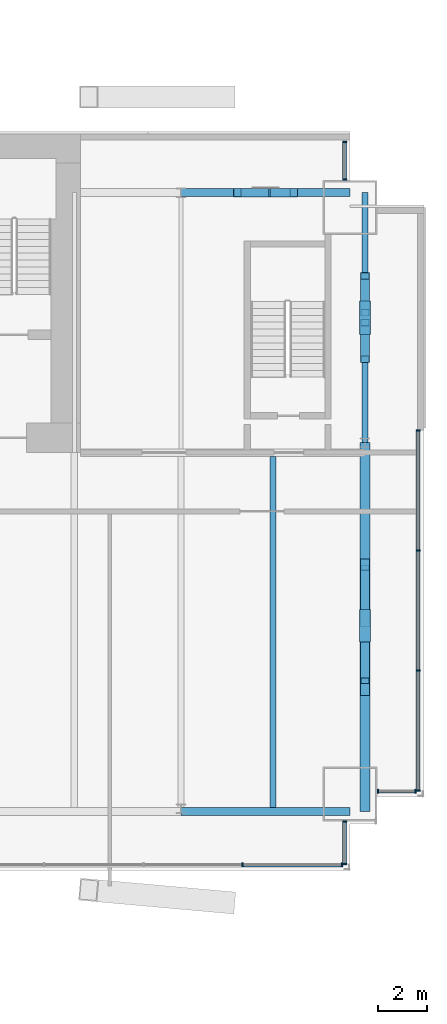
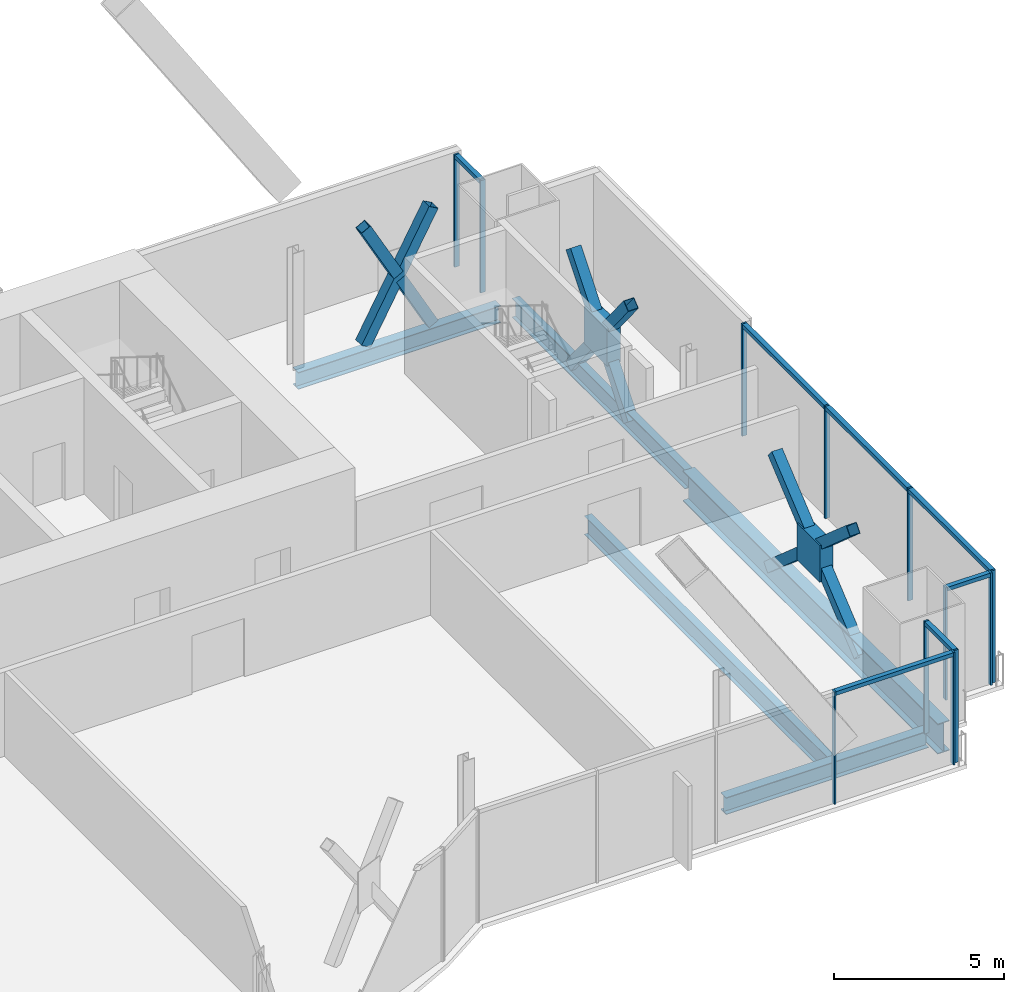
# One storey, part 12 of 20: 32 members, 5 beams, 5 elements without a shape of their own.
"""IFC4 building model written with IfcOpenShell, lengths in metres."""

import ifcopenshell
import ifcopenshell.guid

model = None  # the IFC model being written
_history = None  # IfcOwnerHistory: only IFC2X3 demands one
_inside = {}  # id of a spatial element -> (the spatial element, [elements in it])
_under = {}  # id of a project, library or spatial element -> (it, [spatial elements below it])
_declared = {}  # id of a project -> (the project, [libraries it declares])
_typed = {}  # id of a type object -> (the type object, [elements of that type])
_made_of = {}  # id of a material, layer set ... -> (it, [elements and type objects made of it])


def new_model(schema):
    """Start an empty IFC model of exactly this schema.

    Asked for "IFC4X3", IfcOpenShell would pick the latest addendum, in which some entities
    have other attributes; the version numbers below select the first issue.
    IFC2X3 requires an IfcOwnerHistory on every rooted entity: one is made here for all.
    """
    global model, _history
    if schema == "IFC4X3":
        model = ifcopenshell.file(schema_version=(4, 3, 0, 0))
    else:
        model = ifcopenshell.file(schema=schema)
    _inside.clear()
    _under.clear()
    _declared.clear()
    _typed.clear()
    _made_of.clear()
    _history = None
    if model.schema == "IFC2X3":
        org = make("IfcOrganization", Name="unknown")
        user = make(
            "IfcPersonAndOrganization",
            ThePerson=make("IfcPerson", FamilyName="unknown"),
            TheOrganization=org,
        )
        app = make(
            "IfcApplication",
            ApplicationDeveloper=org,
            Version="unknown",
            ApplicationFullName="unknown",
            ApplicationIdentifier="unknown",
        )
        _history = make(
            "IfcOwnerHistory",
            OwningUser=user,
            OwningApplication=app,
            ChangeAction="ADDED",
            CreationDate=0,
        )
    return model


def make(cls, **values):
    """One entity of the class cls with the attributes given. An attribute that is None is left unset."""
    return model.create_entity(
        cls, **{name: value for name, value in values.items() if value is not None}
    )


def rooted(cls, **values):
    """An entity with a GlobalId (a new one), such as an element, a storey or a relation."""
    return make(cls, GlobalId=ifcopenshell.guid.new(), OwnerHistory=_history, **values)


def si_unit(unit_type, name, prefix=None):
    """IfcSIUnit, for example si_unit("LENGTHUNIT", "METRE", prefix="MILLI")."""
    return make("IfcSIUnit", UnitType=unit_type, Prefix=prefix, Name=name)


def assignment(units):
    """IfcUnitAssignment: the units of a project."""
    return None if units is None else make("IfcUnitAssignment", Units=units)


def point(xyz):
    """IfcCartesianPoint."""
    return None if xyz is None else make("IfcCartesianPoint", Coordinates=xyz)


def direction(xyz):
    """IfcDirection."""
    return None if xyz is None else make("IfcDirection", DirectionRatios=xyz)


def frame(location, z_axis=None, x_axis=None):
    """IfcAxis2Placement3D, a coordinate frame: its origin and axes. An axis left out is left unset."""
    return make(
        "IfcAxis2Placement3D",
        Location=point(location),
        Axis=direction(z_axis),
        RefDirection=direction(x_axis),
    )


def frame_2d(location, x_axis=None):
    """IfcAxis2Placement2D, a coordinate frame in the plane: its origin and x axis."""
    return make(
        "IfcAxis2Placement2D", Location=point(location), RefDirection=direction(x_axis)
    )


def origin():
    """The frame at (0, 0, 0) with its axes left unset."""
    return frame((0.0, 0.0, 0.0))


def origin_2d():
    """The frame at (0, 0) in the plane with its x axis left unset."""
    return frame_2d((0.0, 0.0))


def place(relative_to, where):
    """IfcLocalPlacement: puts the frame where relative to a parent placement (None: the world)."""
    return make(
        "IfcLocalPlacement", PlacementRelTo=relative_to, RelativePlacement=where
    )


def context(
    kind, dimensions, precision=None, world=None, true_north=None, identifier=None
):
    """IfcGeometricRepresentationContext, for example the 3D "Model" context."""
    return make(
        "IfcGeometricRepresentationContext",
        ContextIdentifier=identifier,
        ContextType=kind,
        CoordinateSpaceDimension=dimensions,
        Precision=precision,
        WorldCoordinateSystem=world,
        TrueNorth=true_north,
    )


def subcontext(parent, identifier, kind, view, scale=None):
    """IfcGeometricRepresentationSubContext, for example "Body" below "Model"."""
    return make(
        "IfcGeometricRepresentationSubContext",
        ContextIdentifier=identifier,
        ContextType=kind,
        ParentContext=parent,
        TargetScale=scale,
        TargetView=view,
    )


def project(units=None, contexts=None):
    """IfcProject with its units and contexts."""
    return rooted(
        "IfcProject",
        Name="project",
        RepresentationContexts=contexts,
        UnitsInContext=assignment(units),
    )


def spatial(cls, under=None, at=None, **own):
    """A site, building, storey or space (cls), placed at a placement, below another one or the project."""
    s = rooted(cls, ObjectPlacement=at, **own)
    if under is not None:
        _under.setdefault(under.id(), (under, []))[1].append(s)
    return s


def profile(cls, at=None, kind="AREA", **sizes):
    """A parametric profile (cls). Its sizes go by their IFC names, for example OverallWidth=200.0."""
    return make(cls, ProfileType=kind, Position=at, **sizes)


def rectangle(**sizes):
    """IfcRectangleProfileDef."""
    return profile("IfcRectangleProfileDef", **sizes)


def hollow_rectangle(**sizes):
    """IfcRectangleHollowProfileDef."""
    return profile("IfcRectangleHollowProfileDef", **sizes)


def i_section(**sizes):
    """IfcIShapeProfileDef."""
    return profile("IfcIShapeProfileDef", **sizes)


def extrude(swept, where, along, depth):
    """IfcExtrudedAreaSolid: the profile swept, set in the frame where, extruded along a direction by depth."""
    return make(
        "IfcExtrudedAreaSolid",
        SweptArea=swept,
        Position=where,
        ExtrudedDirection=direction(along),
        Depth=depth,
    )


def shape(context_of_items, identifier, shape_type, items):
    """IfcShapeRepresentation: the items that make up one representation, for example the "Body"."""
    return make(
        "IfcShapeRepresentation",
        ContextOfItems=context_of_items,
        RepresentationIdentifier=identifier,
        RepresentationType=shape_type,
        Items=items,
    )


def material(Name=None, Category=None):
    """IfcMaterial."""
    return make("IfcMaterial", Name=Name, Category=Category)


def material_profile(
    of_material, cross_section, Name=None, Category=None, Priority=None
):
    """IfcMaterialProfile: a cross section and its material."""
    return make(
        "IfcMaterialProfile",
        Name=Name,
        Material=of_material,
        Profile=cross_section,
        Priority=Priority,
        Category=Category,
    )


def profile_set(profiles, Name=None, composite=None):
    """IfcMaterialProfileSet."""
    return make(
        "IfcMaterialProfileSet",
        Name=Name,
        MaterialProfiles=profiles,
        CompositeProfile=composite,
    )


def made_of(thing, what):
    """Note that an element or type object is made of a material, layer set ...; save() writes the relation."""
    if what is not None:
        _made_of.setdefault(what.id(), (what, []))[1].append(thing)
    return thing


def type_object(cls, material=None, **own):
    """A type object (cls), such as IfcWallType, which elements share."""
    return made_of(rooted(cls, **own), material)


def element(
    cls,
    number,
    at=None,
    inside=None,
    cuts=None,
    type_object=None,
    material=None,
    context=None,
    identifier="Body",
    shape_type=None,
    held_by="IfcProductDefinitionShape",
    body=None,
    shapes=None,
    **own,
):
    """One element of the class cls, such as IfcWall. Its Tag is "e" and its number.

    at: its placement. inside: the storey or other place that contains it. cuts: it is an
    opening in that element (IfcRelVoidsElement). A single representation is given by context,
    identifier, shape_type and body (its items); several are given by shapes. held_by: the class
    of the entity that holds the representations. save() writes the other relations.
    """
    e = rooted(cls, Tag="e%d" % number, ObjectPlacement=at, **own)
    if body is not None:
        shapes = [shape(context, identifier, shape_type, body)]
    if shapes is not None:
        e.Representation = make(held_by, Representations=shapes)
    if inside is not None:
        _inside.setdefault(inside.id(), (inside, []))[1].append(e)
    if cuts is not None:
        rooted(
            "IfcRelVoidsElement", RelatingBuildingElement=cuts, RelatedOpeningElement=e
        )
    if type_object is not None:
        _typed.setdefault(type_object.id(), (type_object, []))[1].append(e)
    return made_of(e, material)


def aggregate(whole, parts):
    """IfcRelAggregates: a whole, such as a stair, and the parts it consists of."""
    return rooted("IfcRelAggregates", RelatingObject=whole, RelatedObjects=parts)


def save(model, path):
    """Write the relations noted so far, then the file.

    IfcRelAggregates (storeys below a building ...), IfcRelContainedInSpatialStructure (elements
    in a storey), IfcRelDefinesByType, IfcRelAssociatesMaterial and IfcRelDeclares: one each for
    every whole, place, type object, material and project.
    """
    for whole, parts in _under.values():
        aggregate(whole, parts)
    for where, things in _inside.values():
        rooted(
            "IfcRelContainedInSpatialStructure",
            RelatedElements=things,
            RelatingStructure=where,
        )
    for kind, things in _typed.values():
        rooted("IfcRelDefinesByType", RelatedObjects=things, RelatingType=kind)
    for what, things in _made_of.values():
        rooted("IfcRelAssociatesMaterial", RelatedObjects=things, RelatingMaterial=what)
    for by, libraries in _declared.values():
        rooted("IfcRelDeclares", RelatingContext=by, RelatedDefinitions=libraries)
    model.write(path)


model = new_model("IFC4")

# Units and contexts
model_context = context("Model", 3, precision=1e-05, world=origin(), true_north=direction((0.0, 1.0)))
body_context = subcontext(model_context, "Body", "Model", "MODEL_VIEW")
ifc_project = project(units=[si_unit("LENGTHUNIT", "METRE"), si_unit("AREAUNIT", "SQUARE_METRE"), si_unit("VOLUMEUNIT", "CUBIC_METRE"), si_unit("PLANEANGLEUNIT", "RADIAN"), si_unit("MASSUNIT", "GRAM", prefix="KILO")], contexts=[model_context])

# Site, building, storey
site_placement = place(None, origin())
site = spatial("IfcSite", under=ifc_project, at=site_placement, CompositionType="ELEMENT")
building_placement = place(site_placement, origin())
building = spatial("IfcBuilding", under=site, at=building_placement, Name="Bicima Exchange Tower", CompositionType="ELEMENT")
storey_placement = place(building_placement, frame((0.0, 0.0, 245.60009765625)))
storey = spatial("IfcBuildingStorey", under=building, at=storey_placement, Name="L55", CompositionType="ELEMENT", Elevation=245.60009765625)

# Members
ifc_material_1 = material(Name="Steel ASTM A572 Gr 50", Category="steel")
ifc_material_profile_1 = material_profile(ifc_material_1, rectangle(XDim=0.45556640625, YDim=1.33837890625, at=origin_2d()))
ifc_profile_set_1 = profile_set([ifc_material_profile_1], Name="Steel ASTM A572 Gr 50")
member_type_1 = type_object("IfcMemberType", Name="Brace crossing node 456 x 1338", PredefinedType="POST", material=ifc_profile_set_1)
member_1_placement = place(storey_placement, frame((33.60009765625, -20.06103515625, 0.7705078125), z_axis=(0.0, 0.0, 1.0), x_axis=(1.0, 0.0, 0.0)))
element("IfcMember", 1, at=member_1_placement, inside=storey, type_object=member_type_1, Name="Brace crossing node block", PredefinedType="POST", context=body_context, shape_type="SweptSolid", body=[
    extrude(rectangle(XDim=0.45556640625, YDim=1.33837890625, at=origin_2d()), origin(), (0.0, 0.0, 1.0), 1.318603515625),
])
ifc_material_profile_2 = material_profile(ifc_material_1, rectangle(XDim=0.45556640625, YDim=1.3564453125, at=origin_2d()))
ifc_profile_set_2 = profile_set([ifc_material_profile_2], Name="Steel ASTM A572 Gr 50")
member_type_2 = type_object("IfcMemberType", Name="Brace crossing node 456 x 1356", PredefinedType="POST", material=ifc_profile_set_2)
member_2_placement = place(storey_placement, frame((33.60009765625, -7.5, 0.93505859375), z_axis=(0.0, 0.0, 1.0), x_axis=(1.0, 0.0, 0.0)))
element("IfcMember", 2, at=member_2_placement, inside=storey, type_object=member_type_2, Name="Brace crossing node block", PredefinedType="POST", context=body_context, shape_type="SweptSolid", body=[
    extrude(rectangle(XDim=0.45556640625, YDim=1.3564453125, at=origin_2d()), origin(), (0.0, 0.0, 1.0), 1.33642578125),
])

# Curtain wall, members
ifc_material_2 = material(Name="Anodised bronze aluminium", Category="aluminium")
curtain_wall_type_1 = type_object("IfcCurtainWallType", Name="End face glass wall", PredefinedType="NOTDEFINED", material=ifc_material_2)
curtain_wall_1_placement = place(storey_placement, origin())
curtain_wall_1 = element("IfcCurtainWall", 3, at=curtain_wall_1_placement, inside=storey, type_object=curtain_wall_type_1, Name="End face glass wall L55 run 19", PredefinedType="NOTDEFINED")
ifc_material_profile_3 = material_profile(ifc_material_2, rectangle(XDim=0.159912109375, YDim=0.06005859375, at=origin_2d()))
ifc_profile_set_3 = profile_set([ifc_material_profile_3], Name="Anodised bronze aluminium")
member_type_3 = type_object("IfcMemberType", Name="End face glass wall mullion 60 x 160", PredefinedType="MULLION", material=ifc_profile_set_3)
member_3_placement = place(storey_placement, frame((35.77001953125, -26.783935546875, 0.0), z_axis=(0.0, 0.0, 1.0), x_axis=(-1.0, 0.0, 0.0)))
member_3 = element("IfcMember", 4, at=member_3_placement, type_object=member_type_3, Name="End face glass wall mullion 1", PredefinedType="MULLION", context=body_context, shape_type="SweptSolid", body=[
    extrude(rectangle(XDim=0.159912109375, YDim=0.06005859375, at=origin_2d()), origin(), (0.0, 0.0, 1.0), 4.0498046875),
])
member_4_placement = place(storey_placement, frame((35.77001953125, -21.892578125, 0.0), z_axis=(0.0, 0.0, 1.0), x_axis=(-1.0, 0.0, 0.0)))
member_4 = element("IfcMember", 5, at=member_4_placement, type_object=member_type_3, Name="End face glass wall mullion 2", PredefinedType="MULLION", context=body_context, shape_type="SweptSolid", body=[
    extrude(rectangle(XDim=0.159912109375, YDim=0.06005859375, at=origin_2d()), origin(), (0.0, 0.0, 1.0), 4.0498046875),
])
member_5_placement = place(storey_placement, frame((35.77001953125, -17.001220703125, 0.0), z_axis=(0.0, 0.0, 1.0), x_axis=(-1.0, 0.0, 0.0)))
member_5 = element("IfcMember", 6, at=member_5_placement, type_object=member_type_3, Name="End face glass wall mullion 3", PredefinedType="MULLION", context=body_context, shape_type="SweptSolid", body=[
    extrude(rectangle(XDim=0.159912109375, YDim=0.06005859375, at=origin_2d()), origin(), (0.0, 0.0, 1.0), 4.0498046875),
])
member_6_placement = place(storey_placement, frame((35.77001953125, -12.110107421875, 0.0), z_axis=(0.0, 0.0, 1.0), x_axis=(-1.0, 0.0, 0.0)))
member_6 = element("IfcMember", 7, at=member_6_placement, type_object=member_type_3, Name="End face glass wall mullion 4", PredefinedType="MULLION", context=body_context, shape_type="SweptSolid", body=[
    extrude(rectangle(XDim=0.159912109375, YDim=0.06005859375, at=origin_2d()), origin(), (0.0, 0.0, 1.0), 4.0498046875),
])
ifc_material_profile_4 = material_profile(ifc_material_2, rectangle(XDim=0.159912109375, YDim=0.139892578125, at=origin_2d()))
ifc_profile_set_4 = profile_set([ifc_material_profile_4], Name="Anodised bronze aluminium")
member_type_4 = type_object("IfcMemberType", Name="End face glass wall transom 140 x 160", PredefinedType="USERDEFINED", material=ifc_profile_set_4)
member_7_placement = place(storey_placement, frame((35.77001953125, -26.75390625, 3.97998046875), z_axis=(0.0, 1.0, 0.0), x_axis=(-1.0, 0.0, 0.0)))
member_7 = element("IfcMember", 8, at=member_7_placement, type_object=member_type_4, Name="End face glass wall transom 1.1", ObjectType="TRANSOM", PredefinedType="USERDEFINED", context=body_context, shape_type="SweptSolid", body=[
    extrude(rectangle(XDim=0.159912109375, YDim=0.139892578125, at=origin_2d()), origin(), (0.0, 0.0, 1.0), 4.831298828125),
])
member_8_placement = place(storey_placement, frame((35.77001953125, -21.86279296875, 3.97998046875), z_axis=(0.0, 1.0, 0.0), x_axis=(-1.0, 0.0, 0.0)))
member_8 = element("IfcMember", 9, at=member_8_placement, type_object=member_type_4, Name="End face glass wall transom 2.1", ObjectType="TRANSOM", PredefinedType="USERDEFINED", context=body_context, shape_type="SweptSolid", body=[
    extrude(rectangle(XDim=0.159912109375, YDim=0.139892578125, at=origin_2d()), origin(), (0.0, 0.0, 1.0), 4.83154296875),
])
member_9_placement = place(storey_placement, frame((35.77001953125, -16.97119140625, 3.97998046875), z_axis=(0.0, 1.0, 0.0), x_axis=(-1.0, 0.0, 0.0)))
member_9 = element("IfcMember", 10, at=member_9_placement, type_object=member_type_4, Name="End face glass wall transom 3.1", ObjectType="TRANSOM", PredefinedType="USERDEFINED", context=body_context, shape_type="SweptSolid", body=[
    extrude(rectangle(XDim=0.159912109375, YDim=0.139892578125, at=origin_2d()), origin(), (0.0, 0.0, 1.0), 4.831298828125),
])
aggregate(curtain_wall_1, [member_3, member_4, member_5, member_6, member_7, member_8, member_9])

# Beams
ifc_material_3 = material(Name="Steel ASTM A992 Gr 50", Category="steel")
ifc_material_profile_5 = material_profile(ifc_material_3, i_section(OverallWidth=0.256591796875, OverallDepth=0.693359375, WebThickness=0.014404296875, FlangeThickness=0.023681640625, at=origin_2d()))
ifc_profile_set_5 = profile_set([ifc_material_profile_5], Name="Steel ASTM A992 Gr 50")
beam_type_1 = type_object("IfcBeamType", Name="End girder W27x114", PredefinedType="BEAM", material=ifc_profile_set_5)
beam_1_placement = place(storey_placement, frame((33.60009765625, -2.39990234375, -0.496826171875), z_axis=(0.0, -1.0, 0.0), x_axis=(1.0, 0.0, 0.0)))
element("IfcBeam", 11, at=beam_1_placement, inside=storey, type_object=beam_type_1, Name="End girder", PredefinedType="BEAM", context=body_context, shape_type="SweptSolid", body=[
    extrude(i_section(OverallWidth=0.256591796875, OverallDepth=0.693359375, WebThickness=0.014404296875, FlangeThickness=0.023681640625, at=origin_2d()), origin(), (0.0, 0.0, 1.0), 10.2001953125),
])
ifc_material_profile_6 = material_profile(ifc_material_3, i_section(OverallWidth=0.4013671875, OverallDepth=1.089599609375, WebThickness=0.01806640625, FlangeThickness=0.031005859375, at=origin_2d()))
ifc_profile_set_6 = profile_set([ifc_material_profile_6], Name="Steel ASTM A992 Gr 50")
beam_type_2 = type_object("IfcBeamType", Name="End girder W44x230", PredefinedType="BEAM", material=ifc_profile_set_6)
beam_2_placement = place(storey_placement, frame((33.60009765625, -12.60009765625, -0.69482421875), z_axis=(0.0, -1.0, 0.0), x_axis=(1.0, 0.0, 0.0)))
element("IfcBeam", 12, at=beam_2_placement, inside=storey, type_object=beam_type_2, Name="End girder", PredefinedType="BEAM", context=body_context, shape_type="SweptSolid", body=[
    extrude(i_section(OverallWidth=0.4013671875, OverallDepth=1.089599609375, WebThickness=0.01806640625, FlangeThickness=0.031005859375, at=origin_2d()), origin(), (0.0, 0.0, 1.0), 15.0439453125),
])
ifc_material_profile_7 = material_profile(ifc_material_3, i_section(OverallWidth=0.25390625, OverallDepth=0.67822265625, WebThickness=0.01171875, FlangeThickness=0.016357421875, at=origin_2d()))
ifc_profile_set_7 = profile_set([ifc_material_profile_7], Name="Steel ASTM A992 Gr 50")
beam_type_3 = type_object("IfcBeamType", Name="Floor beam W27x84", PredefinedType="JOIST", material=ifc_profile_set_7)
beam_3_placement = place(storey_placement, frame((29.85009765625, -13.15234375, -0.4892578125), z_axis=(0.0, -1.0, 0.0), x_axis=(1.0, 0.0, 0.0)))
element("IfcBeam", 13, at=beam_3_placement, inside=storey, type_object=beam_type_3, Name="Floor beam", PredefinedType="JOIST", context=body_context, shape_type="SweptSolid", body=[
    extrude(i_section(OverallWidth=0.25390625, OverallDepth=0.67822265625, WebThickness=0.01171875, FlangeThickness=0.016357421875, at=origin_2d()), origin(), (0.0, 0.0, 1.0), 14.3291015625),
])
ifc_material_profile_8 = material_profile(ifc_material_3, i_section(OverallWidth=0.3251953125, OverallDepth=0.612060546875, WebThickness=0.0126953125, FlangeThickness=0.01904296875, at=origin_2d()))
ifc_profile_set_8 = profile_set([ifc_material_profile_8], Name="Steel ASTM A992 Gr 50")
beam_type_4 = type_object("IfcBeamType", Name="Front girder W24x104", PredefinedType="BEAM", material=ifc_profile_set_8)
beam_4_placement = place(storey_placement, frame((26.10009765625, -27.64404296875, -0.456298828125), z_axis=(1.0, 0.0, 0.0), x_axis=(0.0, 1.0, 0.0)))
element("IfcBeam", 14, at=beam_4_placement, inside=storey, type_object=beam_type_4, Name="Front girder", PredefinedType="BEAM", context=body_context, shape_type="SweptSolid", body=[
    extrude(i_section(OverallWidth=0.3251953125, OverallDepth=0.612060546875, WebThickness=0.0126953125, FlangeThickness=0.01904296875, at=origin_2d()), origin(), (0.0, 0.0, 1.0), 6.89990234375),
])

# Curtain wall, members
curtain_wall_type_2 = type_object("IfcCurtainWallType", Name="Front glass wall", PredefinedType="NOTDEFINED", material=ifc_material_2)
curtain_wall_2_placement = place(storey_placement, origin())
curtain_wall_2 = element("IfcCurtainWall", 15, at=curtain_wall_2_placement, inside=storey, type_object=curtain_wall_type_2, Name="Front glass wall L55 run 16", PredefinedType="NOTDEFINED")
member_type_5 = type_object("IfcMemberType", Name="Front glass wall mullion 60 x 160", PredefinedType="MULLION", material=ifc_profile_set_3)
member_10_placement = place(storey_placement, frame((28.610595703125, -29.81396484375, 0.0), z_axis=(0.0, 0.0, 1.0), x_axis=(0.0, 1.0, 0.0)))
member_10 = element("IfcMember", 16, at=member_10_placement, type_object=member_type_5, Name="Front glass wall mullion 4", PredefinedType="MULLION", context=body_context, shape_type="SweptSolid", body=[
    extrude(rectangle(XDim=0.159912109375, YDim=0.06005859375, at=origin_2d()), origin(), (0.0, 0.0, 1.0), 4.0498046875),
])
member_11_placement = place(storey_placement, frame((32.659912109375, -29.81396484375, 0.0), z_axis=(0.0, 0.0, 1.0), x_axis=(0.0, 1.0, 0.0)))
member_11 = element("IfcMember", 17, at=member_11_placement, type_object=member_type_5, Name="Front glass wall mullion 5", PredefinedType="MULLION", context=body_context, shape_type="SweptSolid", body=[
    extrude(rectangle(XDim=0.159912109375, YDim=0.06005859375, at=origin_2d()), origin(), (0.0, 0.0, 1.0), 4.0498046875),
])

curtain_wall_3_placement = place(storey_placement, origin())
curtain_wall_3 = element("IfcCurtainWall", 18, at=curtain_wall_3_placement, inside=storey, type_object=curtain_wall_type_2, Name="Front glass wall L55 run 17", PredefinedType="NOTDEFINED")
member_12_placement = place(storey_placement, frame((32.77001953125, -29.783935546875, 0.0), z_axis=(0.0, 0.0, 1.0), x_axis=(-1.0, 0.0, 0.0)))
member_12 = element("IfcMember", 19, at=member_12_placement, type_object=member_type_5, Name="Front glass wall mullion 1", PredefinedType="MULLION", context=body_context, shape_type="SweptSolid", body=[
    extrude(rectangle(XDim=0.159912109375, YDim=0.06005859375, at=origin_2d()), origin(), (0.0, 0.0, 1.0), 4.0498046875),
])
member_13_placement = place(storey_placement, frame((32.77001953125, -28.052001953125, 0.0), z_axis=(0.0, 0.0, 1.0), x_axis=(-1.0, 0.0, 0.0)))
member_13 = element("IfcMember", 20, at=member_13_placement, type_object=member_type_5, Name="Front glass wall mullion 2", PredefinedType="MULLION", context=body_context, shape_type="SweptSolid", body=[
    extrude(rectangle(XDim=0.159912109375, YDim=0.06005859375, at=origin_2d()), origin(), (0.0, 0.0, 1.0), 4.0498046875),
])

curtain_wall_4_placement = place(storey_placement, origin())
curtain_wall_4 = element("IfcCurtainWall", 21, at=curtain_wall_4_placement, inside=storey, type_object=curtain_wall_type_2, Name="Front glass wall L55 run 18", PredefinedType="NOTDEFINED")
member_14_placement = place(storey_placement, frame((34.1298828125, -26.81396484375, 0.0), z_axis=(0.0, 0.0, 1.0), x_axis=(0.0, 1.0, 0.0)))
member_14 = element("IfcMember", 22, at=member_14_placement, type_object=member_type_5, Name="Front glass wall mullion 1", PredefinedType="MULLION", context=body_context, shape_type="SweptSolid", body=[
    extrude(rectangle(XDim=0.159912109375, YDim=0.06005859375, at=origin_2d()), origin(), (0.0, 0.0, 1.0), 4.0498046875),
])
member_15_placement = place(storey_placement, frame((35.659912109375, -26.81396484375, 0.0), z_axis=(0.0, 0.0, 1.0), x_axis=(0.0, 1.0, 0.0)))
member_15 = element("IfcMember", 23, at=member_15_placement, type_object=member_type_5, Name="Front glass wall mullion 2", PredefinedType="MULLION", context=body_context, shape_type="SweptSolid", body=[
    extrude(rectangle(XDim=0.159912109375, YDim=0.06005859375, at=origin_2d()), origin(), (0.0, 0.0, 1.0), 4.0498046875),
])

curtain_wall_5_placement = place(storey_placement, origin())
curtain_wall_5 = element("IfcCurtainWall", 24, at=curtain_wall_5_placement, inside=storey, type_object=curtain_wall_type_2, Name="Front glass wall L55 run 20", PredefinedType="NOTDEFINED")
member_16_placement = place(storey_placement, frame((32.77001953125, -1.8701171875, 0.0), z_axis=(0.0, 0.0, 1.0), x_axis=(-1.0, 0.0, 0.0)))
member_16 = element("IfcMember", 25, at=member_16_placement, type_object=member_type_5, Name="Front glass wall mullion 1", PredefinedType="MULLION", context=body_context, shape_type="SweptSolid", body=[
    extrude(rectangle(XDim=0.159912109375, YDim=0.06005859375, at=origin_2d()), origin(), (0.0, 0.0, 1.0), 4.0498046875),
])
member_17_placement = place(storey_placement, frame((32.77001953125, -0.340087890625, 0.0), z_axis=(0.0, 0.0, 1.0), x_axis=(-1.0, 0.0, 0.0)))
member_17 = element("IfcMember", 26, at=member_17_placement, type_object=member_type_5, Name="Front glass wall mullion 2", PredefinedType="MULLION", context=body_context, shape_type="SweptSolid", body=[
    extrude(rectangle(XDim=0.159912109375, YDim=0.06005859375, at=origin_2d()), origin(), (0.0, 0.0, 1.0), 4.0498046875),
])

# Member
member_type_6 = type_object("IfcMemberType", Name="Front glass wall transom 140 x 160", PredefinedType="USERDEFINED", material=ifc_profile_set_4)
member_18_placement = place(storey_placement, frame((28.640380859375, -29.81396484375, 3.97998046875), z_axis=(1.0, 0.0, 0.0), x_axis=(0.0, 1.0, 0.0)))
member_18 = element("IfcMember", 27, at=member_18_placement, type_object=member_type_6, Name="Front glass wall transom 4.1", ObjectType="TRANSOM", PredefinedType="USERDEFINED", context=body_context, shape_type="SweptSolid", body=[
    extrude(rectangle(XDim=0.159912109375, YDim=0.139892578125, at=origin_2d()), origin(), (0.0, 0.0, 1.0), 3.989501953125),
])

aggregate(curtain_wall_2, [member_10, member_11, member_18])

member_19_placement = place(storey_placement, frame((32.77001953125, -29.75390625, 3.97998046875), z_axis=(0.0, 1.0, 0.0), x_axis=(-1.0, 0.0, 0.0)))
member_19 = element("IfcMember", 28, at=member_19_placement, type_object=member_type_6, Name="Front glass wall transom 1.1", ObjectType="TRANSOM", PredefinedType="USERDEFINED", context=body_context, shape_type="SweptSolid", body=[
    extrude(rectangle(XDim=0.159912109375, YDim=0.139892578125, at=origin_2d()), origin(), (0.0, 0.0, 1.0), 1.671875),
])

aggregate(curtain_wall_3, [member_12, member_13, member_19])

member_20_placement = place(storey_placement, frame((34.159912109375, -26.81396484375, 3.97998046875), z_axis=(1.0, 0.0, 0.0), x_axis=(0.0, 1.0, 0.0)))
member_20 = element("IfcMember", 29, at=member_20_placement, type_object=member_type_6, Name="Front glass wall transom 1.1", ObjectType="TRANSOM", PredefinedType="USERDEFINED", context=body_context, shape_type="SweptSolid", body=[
    extrude(rectangle(XDim=0.159912109375, YDim=0.139892578125, at=origin_2d()), origin(), (0.0, 0.0, 1.0), 1.469970703125),
])

aggregate(curtain_wall_4, [member_14, member_15, member_20])

member_21_placement = place(storey_placement, frame((32.77001953125, -1.840087890625, 3.97998046875), z_axis=(0.0, 1.0, 0.0), x_axis=(-1.0, 0.0, 0.0)))
member_21 = element("IfcMember", 30, at=member_21_placement, type_object=member_type_6, Name="Front glass wall transom 1.1", ObjectType="TRANSOM", PredefinedType="USERDEFINED", context=body_context, shape_type="SweptSolid", body=[
    extrude(rectangle(XDim=0.159912109375, YDim=0.139892578125, at=origin_2d()), origin(), (0.0, 0.0, 1.0), 1.469970703125),
])

aggregate(curtain_wall_5, [member_16, member_17, member_21])

# Members
ifc_material_profile_9 = material_profile(ifc_material_1, hollow_rectangle(XDim=0.355712890625, YDim=0.355712890625, WallThickness=0.0146484375, at=origin_2d()))
ifc_profile_set_9 = profile_set([ifc_material_profile_9], Name="Steel ASTM A572 Gr 50")
member_type_7 = type_object("IfcMemberType", Name="Mega brace HSS14x14x5/8", PredefinedType="BRACE", material=ifc_profile_set_9)
member_22_placement = place(storey_placement, frame((28.39990234375, -2.39990234375, 0.0), z_axis=(0.48032676309, 0.0, 0.877089619514), x_axis=(0.0, 1.0, 0.0)))
element("IfcMember", 31, at=member_22_placement, inside=storey, type_object=member_type_7, Name="Mega brace rear", PredefinedType="BRACE", context=body_context, shape_type="SweptSolid", body=[
    extrude(hollow_rectangle(XDim=0.355712890625, YDim=0.355712890625, WallThickness=0.0146484375, at=origin_2d()), origin(), (0.0, 0.0, 1.0), 4.78857421875),
])
member_23_placement = place(storey_placement, frame((30.699951171875, -2.39990234375, 0.0), z_axis=(-0.480349521295, 0.0, 0.877077155894), x_axis=(0.0, -1.0, 0.0)))
element("IfcMember", 32, at=member_23_placement, inside=storey, type_object=member_type_7, Name="Mega brace rear", PredefinedType="BRACE", context=body_context, shape_type="SweptSolid", body=[
    extrude(hollow_rectangle(XDim=0.355712890625, YDim=0.355712890625, WallThickness=0.0146484375, at=origin_2d()), origin(), (0.0, 0.0, 1.0), 2.306396484375),
])
member_24_placement = place(storey_placement, frame((29.5078125, -2.39990234375, 2.1767578125), z_axis=(-0.480304929622, 0.0, 0.877101575976), x_axis=(0.0, -1.0, 0.0)))
element("IfcMember", 33, at=member_24_placement, inside=storey, type_object=member_type_7, Name="Mega brace rear", PredefinedType="BRACE", context=body_context, shape_type="SweptSolid", body=[
    extrude(hollow_rectangle(XDim=0.355712890625, YDim=0.355712890625, WallThickness=0.0146484375, at=origin_2d()), origin(), (0.0, 0.0, 1.0), 2.306640625),
])
for number, where, z_axis, x_axis, name in (
    (34, (33.60009765625, -5.800048828125, -0.496826171875), (0.0, -0.629183530001, 0.777256769398), (1.0, 0.0, 0.0), "Mega brace east end"),
    (35, (33.60009765625, -7.69677734375, 1.84619140625), (0.0, -0.629183530001, 0.777256769398), (1.0, 0.0, 0.0), "Mega brace east end"),
    (36, (33.60009765625, -9.199951171875, -0.496826171875), (0.0, 0.629183530001, 0.777256769398), (-1.0, 0.0, 0.0), "Mega brace east end"),
    (37, (33.60009765625, -7.30322265625, 1.84619140625), (0.0, 0.629183530001, 0.777256769398), (-1.0, 0.0, 0.0), "Mega brace east end"),
):
    element("IfcMember", number, at=place(storey_placement, frame(where, z_axis=z_axis, x_axis=x_axis)), inside=storey, type_object=member_type_7, Name=name, PredefinedType="BRACE", context=body_context, shape_type="SweptSolid", body=[
        extrude(hollow_rectangle(XDim=0.355712890625, YDim=0.355712890625, WallThickness=0.0146484375, at=origin_2d()), origin(), (0.0, 0.0, 1.0), 2.38916015625),
    ])
for number, where, z_axis, x_axis, name in (
    (38, (33.60009765625, -17.451904296875, -0.69482421875), (0.0, -0.752317784327, 0.658800388119), (1.0, 0.0, 0.0), "Mega brace east end"),
    (39, (33.60009765625, -20.1064453125, 1.6298828125), (0.0, -0.752240085907, 0.658889105354), (1.0, 0.0, 0.0), "Mega brace east end"),
):
    element("IfcMember", number, at=place(storey_placement, frame(where, z_axis=z_axis, x_axis=x_axis)), inside=storey, type_object=member_type_7, Name=name, PredefinedType="BRACE", context=body_context, shape_type="SweptSolid", body=[
        extrude(hollow_rectangle(XDim=0.355712890625, YDim=0.355712890625, WallThickness=0.0146484375, at=origin_2d()), origin(), (0.0, 0.0, 1.0), 2.92138671875),
    ])
for number, where, z_axis, x_axis, name in (
    (40, (33.60009765625, -22.7919921875, -0.69482421875), (0.0, 0.768015405636, 0.640431367678), (-1.0, 0.0, 0.0), "Mega brace east end"),
    (41, (33.60009765625, -20.0107421875, 1.624267578125), (0.0, 0.76797556264, 0.640479145006), (-1.0, 0.0, 0.0), "Mega brace east end"),
):
    element("IfcMember", number, at=place(storey_placement, frame(where, z_axis=z_axis, x_axis=x_axis)), inside=storey, type_object=member_type_7, Name=name, PredefinedType="BRACE", context=body_context, shape_type="SweptSolid", body=[
        extrude(hollow_rectangle(XDim=0.355712890625, YDim=0.355712890625, WallThickness=0.0146484375, at=origin_2d()), origin(), (0.0, 0.0, 1.0), 3.013916015625),
    ])

# Beam
beam_type_5 = type_object("IfcBeamType", Name="Rear girder W24x104", PredefinedType="BEAM", material=ifc_profile_set_8)
beam_5_placement = place(storey_placement, frame((26.10009765625, -2.39990234375, -0.456298828125), z_axis=(1.0, 0.0, 0.0), x_axis=(0.0, 1.0, 0.0)))
element("IfcBeam", 42, at=beam_5_placement, inside=storey, type_object=beam_type_5, Name="Rear girder", PredefinedType="BEAM", context=body_context, shape_type="SweptSolid", body=[
    extrude(i_section(OverallWidth=0.3251953125, OverallDepth=0.612060546875, WebThickness=0.0126953125, FlangeThickness=0.01904296875, at=origin_2d()), origin(), (0.0, 0.0, 1.0), 6.89990234375),
])

save(model, "model.ifc")
